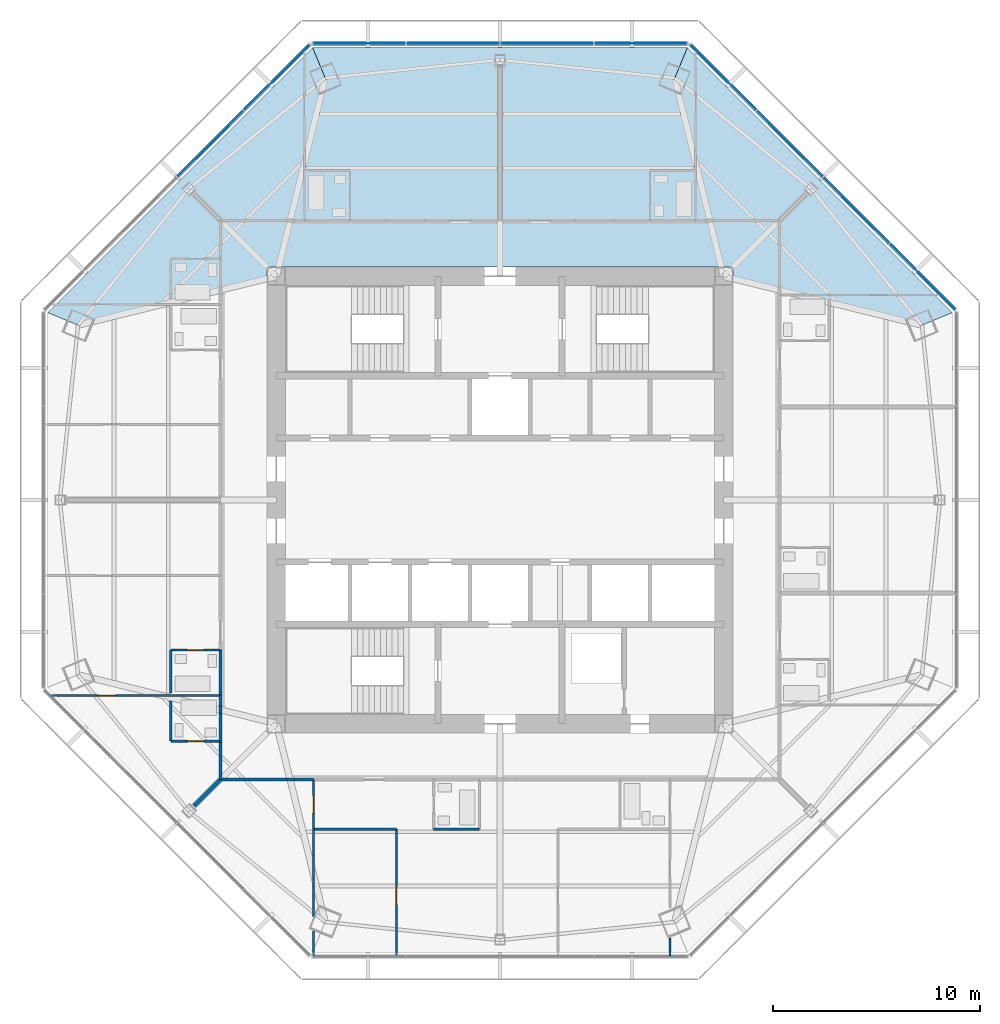
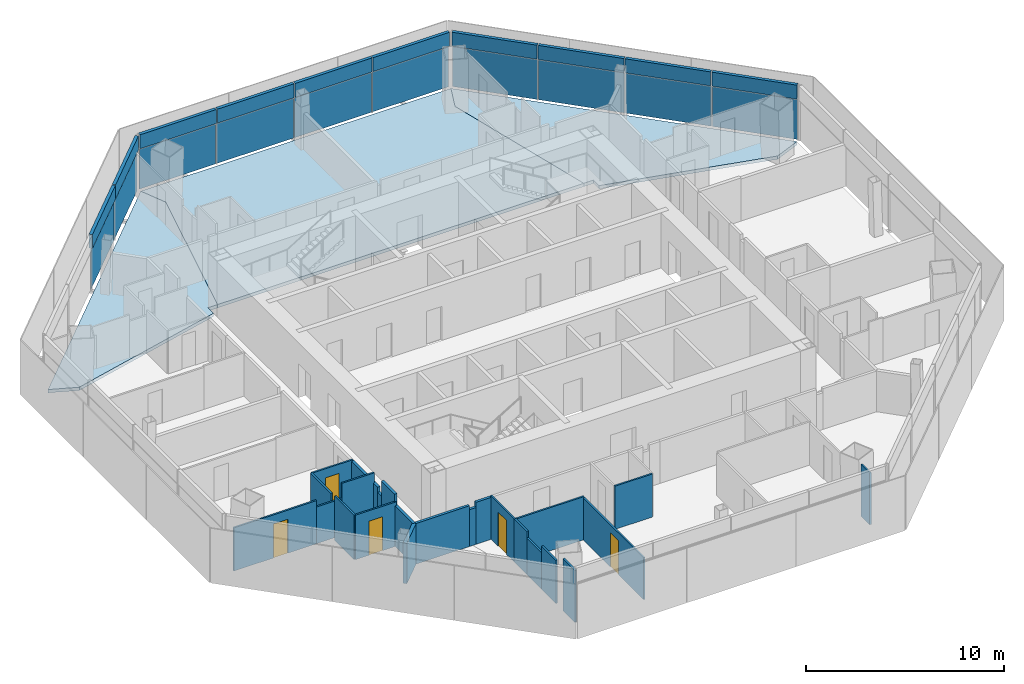
# One storey, part 8 of 15: 25 walls, 20 plates, 5 doors, 3 slabs, 5 openings, 3 elements without a shape of their own.
"""IFC4 building model written with IfcOpenShell, lengths in metres."""

from ifc_helpers import new_model, si_unit, direction, frame, frame_2d, origin, origin_2d, place, context, subcontext, project, spatial, polyline, rectangle, outline, extrude, source, transform, mapped, material, layer, layer_set, type_object, type_shapes, element, fill, aggregate, save


model = new_model("IFC4")

# Units and contexts
model_context = context("Model", 3, precision=1e-05, world=origin(), true_north=direction((0.0, 1.0)))
body_context = subcontext(model_context, "Body", "Model", "MODEL_VIEW")
ifc_project = project(units=[si_unit("LENGTHUNIT", "METRE"), si_unit("AREAUNIT", "SQUARE_METRE"), si_unit("VOLUMEUNIT", "CUBIC_METRE"), si_unit("PLANEANGLEUNIT", "RADIAN"), si_unit("MASSUNIT", "GRAM", prefix="KILO")], contexts=[model_context])

# Site, building, storey
site_placement = place(None, origin())
site = spatial("IfcSite", under=ifc_project, at=site_placement, CompositionType="ELEMENT")
building_placement = place(site_placement, origin())
building = spatial("IfcBuilding", under=site, at=building_placement, Name="Mashrafa Tower", CompositionType="ELEMENT")
storey_placement = place(building_placement, frame((0.0, 0.0, 210.800048828125)))
storey = spatial("IfcBuildingStorey", under=building, at=storey_placement, Name="L48", CompositionType="ELEMENT", Elevation=210.800048828125)

# Slabs
ifc_material_1 = material(Name="Concrete C35/45", Category="concrete")
ifc_layer_1 = layer(ifc_material_1, 0.199951171875)
ifc_layer_set_1 = layer_set([ifc_layer_1], Name="Floor slab 200")
slab_type = type_object("IfcSlabType", Name="Floor slab 200", PredefinedType="FLOOR", material=ifc_layer_set_1)
slab_1_placement = place(storey_placement, frame((0.0, 0.0, -0.199951171875)))
element("IfcSlab", 1, at=slab_1_placement, inside=storey, type_object=slab_type, Name="Floor slab L48 north-east bay", PredefinedType="FLOOR", context=body_context, shape_type="SweptSolid", body=[
    extrude(outline(polyline([(9.05126953125, 21.8515625), (21.8515625, 9.05126953125), (21.8515625, 9.05126953125), (20.37890625, 8.441162109375), (11.25, 10.689208984375), (11.25, 11.25), (10.689208984375, 11.25), (8.441162109375, 20.37890625), (9.05126953125, 21.8515625), (9.05126953125, 21.8515625)])), origin(), (0.0, 0.0, 1.0), 0.199951171875),
])
slab_2_placement = place(storey_placement, frame((0.0, 0.0, -0.199951171875)))
element("IfcSlab", 2, at=slab_2_placement, inside=storey, type_object=slab_type, Name="Floor slab L48 north bay", PredefinedType="FLOOR", context=body_context, shape_type="SweptSolid", body=[
    extrude(outline(polyline([(9.05126953125, 21.8515625), (8.441162109375, 20.37890625), (10.689208984375, 11.25), (-10.689208984375, 11.25), (-8.441162109375, 20.37890625), (-9.05126953125, 21.8515625), (9.05126953125, 21.8515625)])), origin(), (0.0, 0.0, 1.0), 0.199951171875),
])
slab_3_placement = place(storey_placement, frame((0.0, 0.0, -0.199951171875)))
element("IfcSlab", 3, at=slab_3_placement, inside=storey, type_object=slab_type, Name="Floor slab L48 north-west bay", PredefinedType="FLOOR", context=body_context, shape_type="SweptSolid", body=[
    extrude(outline(polyline([(-21.8515625, 9.05126953125), (-9.05126953125, 21.8515625), (-9.05126953125, 21.8515625), (-8.441162109375, 20.37890625), (-10.689208984375, 11.25), (-11.25, 11.25), (-11.25, 10.689208984375), (-20.37890625, 8.441162109375), (-21.8515625, 9.05126953125), (-21.8515625, 9.05126953125)])), origin(), (0.0, 0.0, 1.0), 0.199951171875),
])

# Curtain wall, plates
ifc_material_2 = material(Name="Unitised aluminium curtain wall", Category="aluminium")
curtain_wall_type = type_object("IfcCurtainWallType", Name="Apartment curtain wall, zone 3 CW-C 180 deep", PredefinedType="NOTDEFINED", material=ifc_material_2)
curtain_wall_1_placement = place(storey_placement, origin())
curtain_wall_1 = element("IfcCurtainWall", 4, at=curtain_wall_1_placement, inside=storey, type_object=curtain_wall_type, Name="Apartment curtain wall, zone 3 L48 north-east", PredefinedType="NOTDEFINED")
ifc_material_3 = material(Name="Insulated double glazing, acoustic", Category="glass")
ifc_layer_2 = layer(ifc_material_3, 0.028076171875)
ifc_layer_set_2 = layer_set([ifc_layer_2], Name="Vision panel CW-C 28")
plate_type_1 = type_object("IfcPlateType", Name="Vision panel CW-C 28", PredefinedType="CURTAIN_PANEL", material=ifc_layer_set_2)
shared_shape_1 = source(origin(), body_context, "Body", "SweptSolid", [
    extrude(rectangle(XDim=4.453369140625, YDim=0.028076171875, at=origin_2d()), origin(), (0.0, 0.0, 1.0), 2.46240234375),
])
plate_1_placement = place(storey_placement, frame((20.401123046875, 10.784423828125, 0.0), z_axis=(0.0, 0.0, 1.0), x_axis=(-0.707106781187, 0.707106781187, 0.0)))
plate_1 = element("IfcPlate", 5, at=plate_1_placement, type_object=plate_type_1, Name="CW-C vision panel 1", PredefinedType="CURTAIN_PANEL", context=body_context, shape_type="MappedRepresentation", body=[
    mapped(shared_shape_1, transform((0.0, 0.0, 0.0))),
])
plate_2_placement = place(storey_placement, frame((10.784423828125, 20.401123046875, 0.0), z_axis=(0.0, 0.0, 1.0), x_axis=(-0.707106781187, 0.707106781187, 0.0)))
plate_2 = element("IfcPlate", 6, at=plate_2_placement, type_object=plate_type_1, Name="CW-C vision panel 4", PredefinedType="CURTAIN_PANEL", context=body_context, shape_type="MappedRepresentation", body=[
    mapped(shared_shape_1, transform((0.0, 0.0, 0.0))),
])

curtain_wall_2_placement = place(storey_placement, origin())
curtain_wall_2 = element("IfcCurtainWall", 7, at=curtain_wall_2_placement, inside=storey, type_object=curtain_wall_type, Name="Apartment curtain wall, zone 3 L48 north", PredefinedType="NOTDEFINED")
plate_3_placement = place(storey_placement, frame((6.800048828125, 22.051513671875, 0.0), z_axis=(0.0, 0.0, 1.0), x_axis=(-1.0, 0.0, 0.0)))
plate_3 = element("IfcPlate", 8, at=plate_3_placement, type_object=plate_type_1, Name="CW-C vision panel 1", PredefinedType="CURTAIN_PANEL", context=body_context, shape_type="MappedRepresentation", body=[
    mapped(shared_shape_1, transform((0.0, 0.0, 0.0))),
])
plate_4_placement = place(storey_placement, frame((-6.800048828125, 22.051513671875, 0.0), z_axis=(0.0, 0.0, 1.0), x_axis=(-1.0, 0.0, 0.0)))
plate_4 = element("IfcPlate", 9, at=plate_4_placement, type_object=plate_type_1, Name="CW-C vision panel 4", PredefinedType="CURTAIN_PANEL", context=body_context, shape_type="MappedRepresentation", body=[
    mapped(shared_shape_1, transform((0.0, 0.0, 0.0))),
])

# Curtain wall, plate
curtain_wall_3_placement = place(storey_placement, origin())
curtain_wall_3 = element("IfcCurtainWall", 10, at=curtain_wall_3_placement, inside=storey, type_object=curtain_wall_type, Name="Apartment curtain wall, zone 3 L48 north-west", PredefinedType="NOTDEFINED")
plate_5_placement = place(storey_placement, frame((-10.784423828125, 20.401123046875, 0.0), z_axis=(0.0, 0.0, 1.0), x_axis=(-0.707106781187, -0.707106781187, 0.0)))
plate_5 = element("IfcPlate", 11, at=plate_5_placement, type_object=plate_type_1, Name="CW-C vision panel 1", PredefinedType="CURTAIN_PANEL", context=body_context, shape_type="MappedRepresentation", body=[
    mapped(shared_shape_1, transform((0.0, 0.0, 0.0))),
])

# Plate
ifc_material_4 = material(Name="Insulated bronze aluminium spandrel panel", Category="aluminium")
ifc_layer_3 = layer(ifc_material_4, 0.179931640625)
ifc_layer_set_3 = layer_set([ifc_layer_3], Name="Spandrel panel CW-C 180")
plate_type_2 = type_object("IfcPlateType", Name="Spandrel panel CW-C 180", PredefinedType="CURTAIN_PANEL", material=ifc_layer_set_3)
shared_shape_2 = source(origin(), body_context, "Body", "SweptSolid", [
    extrude(rectangle(XDim=4.453369140625, YDim=0.179931640625, at=origin_2d()), origin(), (0.0, 0.0, 1.0), 0.862548828125),
])
plate_6_placement = place(storey_placement, frame((20.401123046875, 10.784423828125, 2.53759765625), z_axis=(0.0, 0.0, 1.0), x_axis=(-0.707106781187, 0.707106781187, 0.0)))
plate_6 = element("IfcPlate", 12, at=plate_6_placement, type_object=plate_type_2, Name="CW-C spandrel panel 1", PredefinedType="CURTAIN_PANEL", context=body_context, shape_type="MappedRepresentation", body=[
    mapped(shared_shape_2, transform((0.0, 0.0, 0.0))),
])

plate_7_placement = place(storey_placement, frame((10.784423828125, 20.401123046875, 2.53759765625), z_axis=(0.0, 0.0, 1.0), x_axis=(-0.707106781187, 0.707106781187, 0.0)))
plate_7 = element("IfcPlate", 13, at=plate_7_placement, type_object=plate_type_2, Name="CW-C spandrel panel 4", PredefinedType="CURTAIN_PANEL", context=body_context, shape_type="MappedRepresentation", body=[
    mapped(shared_shape_2, transform((0.0, 0.0, 0.0))),
])

plate_8_placement = place(storey_placement, frame((6.800048828125, 22.051513671875, 2.53759765625), z_axis=(0.0, 0.0, 1.0), x_axis=(-1.0, 0.0, 0.0)))
plate_8 = element("IfcPlate", 14, at=plate_8_placement, type_object=plate_type_2, Name="CW-C spandrel panel 1", PredefinedType="CURTAIN_PANEL", context=body_context, shape_type="MappedRepresentation", body=[
    mapped(shared_shape_2, transform((0.0, 0.0, 0.0))),
])

plate_9_placement = place(storey_placement, frame((-6.800048828125, 22.051513671875, 2.53759765625), z_axis=(0.0, 0.0, 1.0), x_axis=(-1.0, 0.0, 0.0)))
plate_9 = element("IfcPlate", 15, at=plate_9_placement, type_object=plate_type_2, Name="CW-C spandrel panel 4", PredefinedType="CURTAIN_PANEL", context=body_context, shape_type="MappedRepresentation", body=[
    mapped(shared_shape_2, transform((0.0, 0.0, 0.0))),
])

plate_10_placement = place(storey_placement, frame((-10.784423828125, 20.401123046875, 2.53759765625), z_axis=(0.0, 0.0, 1.0), x_axis=(-0.707106781187, -0.707106781187, 0.0)))
plate_10 = element("IfcPlate", 16, at=plate_10_placement, type_object=plate_type_2, Name="CW-C spandrel panel 1", PredefinedType="CURTAIN_PANEL", context=body_context, shape_type="MappedRepresentation", body=[
    mapped(shared_shape_2, transform((0.0, 0.0, 0.0))),
])

shared_shape_3 = source(origin(), body_context, "Body", "SweptSolid", [
    extrude(rectangle(XDim=4.4833984375, YDim=0.028076171875, at=origin_2d()), origin(), (0.0, 0.0, 1.0), 2.46240234375),
])
type_shapes(plate_type_1, [shared_shape_1, shared_shape_3])
plate_11_placement = place(storey_placement, frame((17.198974609375, 13.986328125, 0.0), z_axis=(0.0, 0.0, 1.0), x_axis=(-0.707106781187, 0.707106781187, 0.0)))
plate_11 = element("IfcPlate", 17, at=plate_11_placement, type_object=plate_type_1, Name="CW-C vision panel 2", PredefinedType="CURTAIN_PANEL", context=body_context, shape_type="MappedRepresentation", body=[
    mapped(shared_shape_3, transform((0.0, 0.0, 0.0))),
])

plate_12_placement = place(storey_placement, frame((13.986328125, 17.198974609375, 0.0), z_axis=(0.0, 0.0, 1.0), x_axis=(-0.707106781187, 0.707106781187, 0.0)))
plate_12 = element("IfcPlate", 18, at=plate_12_placement, type_object=plate_type_1, Name="CW-C vision panel 3", PredefinedType="CURTAIN_PANEL", context=body_context, shape_type="MappedRepresentation", body=[
    mapped(shared_shape_3, transform((0.0, 0.0, 0.0))),
])

plate_13_placement = place(storey_placement, frame((2.271728515625, 22.051513671875, 0.0), z_axis=(0.0, 0.0, 1.0), x_axis=(-1.0, 0.0, 0.0)))
plate_13 = element("IfcPlate", 19, at=plate_13_placement, type_object=plate_type_1, Name="CW-C vision panel 2", PredefinedType="CURTAIN_PANEL", context=body_context, shape_type="MappedRepresentation", body=[
    mapped(shared_shape_3, transform((0.0, 0.0, 0.0))),
])

plate_14_placement = place(storey_placement, frame((-2.271728515625, 22.051513671875, 0.0), z_axis=(0.0, 0.0, 1.0), x_axis=(-1.0, 0.0, 0.0)))
plate_14 = element("IfcPlate", 20, at=plate_14_placement, type_object=plate_type_1, Name="CW-C vision panel 3", PredefinedType="CURTAIN_PANEL", context=body_context, shape_type="MappedRepresentation", body=[
    mapped(shared_shape_3, transform((0.0, 0.0, 0.0))),
])

plate_15_placement = place(storey_placement, frame((-13.986328125, 17.198974609375, 0.0), z_axis=(0.0, 0.0, 1.0), x_axis=(-0.707106781187, -0.707106781187, 0.0)))
plate_15 = element("IfcPlate", 21, at=plate_15_placement, type_object=plate_type_1, Name="CW-C vision panel 2", PredefinedType="CURTAIN_PANEL", context=body_context, shape_type="MappedRepresentation", body=[
    mapped(shared_shape_3, transform((0.0, 0.0, 0.0))),
])

shared_shape_4 = source(origin(), body_context, "Body", "SweptSolid", [
    extrude(rectangle(XDim=4.4833984375, YDim=0.179931640625, at=origin_2d()), origin(), (0.0, 0.0, 1.0), 0.862548828125),
])
type_shapes(plate_type_2, [shared_shape_2, shared_shape_4])
plate_16_placement = place(storey_placement, frame((17.198974609375, 13.986328125, 2.53759765625), z_axis=(0.0, 0.0, 1.0), x_axis=(-0.707106781187, 0.707106781187, 0.0)))
plate_16 = element("IfcPlate", 22, at=plate_16_placement, type_object=plate_type_2, Name="CW-C spandrel panel 2", PredefinedType="CURTAIN_PANEL", context=body_context, shape_type="MappedRepresentation", body=[
    mapped(shared_shape_4, transform((0.0, 0.0, 0.0))),
])

plate_17_placement = place(storey_placement, frame((13.986328125, 17.198974609375, 2.53759765625), z_axis=(0.0, 0.0, 1.0), x_axis=(-0.707106781187, 0.707106781187, 0.0)))
plate_17 = element("IfcPlate", 23, at=plate_17_placement, type_object=plate_type_2, Name="CW-C spandrel panel 3", PredefinedType="CURTAIN_PANEL", context=body_context, shape_type="MappedRepresentation", body=[
    mapped(shared_shape_4, transform((0.0, 0.0, 0.0))),
])

aggregate(curtain_wall_1, [plate_1, plate_6, plate_11, plate_16, plate_12, plate_17, plate_2, plate_7])

plate_18_placement = place(storey_placement, frame((2.271728515625, 22.051513671875, 2.53759765625), z_axis=(0.0, 0.0, 1.0), x_axis=(-1.0, 0.0, 0.0)))
plate_18 = element("IfcPlate", 24, at=plate_18_placement, type_object=plate_type_2, Name="CW-C spandrel panel 2", PredefinedType="CURTAIN_PANEL", context=body_context, shape_type="MappedRepresentation", body=[
    mapped(shared_shape_4, transform((0.0, 0.0, 0.0))),
])

plate_19_placement = place(storey_placement, frame((-2.271728515625, 22.051513671875, 2.53759765625), z_axis=(0.0, 0.0, 1.0), x_axis=(-1.0, 0.0, 0.0)))
plate_19 = element("IfcPlate", 25, at=plate_19_placement, type_object=plate_type_2, Name="CW-C spandrel panel 3", PredefinedType="CURTAIN_PANEL", context=body_context, shape_type="MappedRepresentation", body=[
    mapped(shared_shape_4, transform((0.0, 0.0, 0.0))),
])

aggregate(curtain_wall_2, [plate_3, plate_8, plate_13, plate_18, plate_14, plate_19, plate_4, plate_9])

plate_20_placement = place(storey_placement, frame((-13.986328125, 17.198974609375, 2.53759765625), z_axis=(0.0, 0.0, 1.0), x_axis=(-0.707106781187, -0.707106781187, 0.0)))
plate_20 = element("IfcPlate", 26, at=plate_20_placement, type_object=plate_type_2, Name="CW-C spandrel panel 2", PredefinedType="CURTAIN_PANEL", context=body_context, shape_type="MappedRepresentation", body=[
    mapped(shared_shape_4, transform((0.0, 0.0, 0.0))),
])

aggregate(curtain_wall_3, [plate_5, plate_10, plate_15, plate_20])

# Walls
ifc_material_5 = material(Name="Gypsum board on steel studs", Category="steel")
ifc_layer_4 = layer(ifc_material_5, 0.199951171875)
ifc_layer_set_4 = layer_set([ifc_layer_4], Name="Acoustic partition 200 1 hr")
wall_type_1 = type_object("IfcWallType", Name="Acoustic partition 200 1 hr", PredefinedType="PARTITIONING", material=ifc_layer_set_4)
wall_1_placement = place(storey_placement, frame((-14.768798828125, -14.768798828125, 0.0), z_axis=(0.0, 0.0, 1.0), x_axis=(0.707106781187, 0.707106781187, 0.0)))
element("IfcWall", 27, at=wall_1_placement, inside=storey, type_object=wall_type_1, Name="Acoustic wall L48-111", PredefinedType="PARTITIONING", context=body_context, shape_type="SweptSolid", body=[
    extrude(rectangle(XDim=1.79443359375, YDim=0.199951171875, at=frame_2d((0.897216796875, 0.0))), origin(), (0.0, 0.0, 1.0), 2.51171875),
])
ifc_material_6 = material(Name="Gypsum board on steel studs", Category="steel")
ifc_layer_5 = layer(ifc_material_6, 0.14990234375)
ifc_layer_set_5 = layer_set([ifc_layer_5], Name="Corridor partition 150 1 hr")
wall_type_2 = type_object("IfcWallType", Name="Corridor partition 150 1 hr", PredefinedType="PARTITIONING", material=ifc_layer_set_5)
wall_2_placement = place(storey_placement, frame((-13.5, -9.448974609375, 0.0), z_axis=(0.0, 0.0, 1.0), x_axis=(0.0, -1.0, 0.0)))
element("IfcWall", 28, at=wall_2_placement, inside=storey, type_object=wall_type_2, Name="Corridor wall L48-039", PredefinedType="PARTITIONING", context=body_context, shape_type="SweptSolid", body=[
    extrude(rectangle(XDim=0.47998046875, YDim=0.14990234375, at=frame_2d((0.239990234375, 0.0))), origin(), (0.0, 0.0, 1.0), 2.590576171875),
])
wall_3_placement = place(storey_placement, frame((-13.5, -10.30517578125, 0.0), z_axis=(0.0, 0.0, 1.0), x_axis=(0.0, -1.0, 0.0)))
element("IfcWall", 29, at=wall_3_placement, inside=storey, type_object=wall_type_2, Name="Corridor wall L48-040", PredefinedType="PARTITIONING", context=body_context, shape_type="SweptSolid", body=[
    extrude(rectangle(XDim=1.345703125, YDim=0.14990234375, at=frame_2d((0.6728515625, 0.0))), origin(), (0.0, 0.0, 1.0), 3.199951171875),
])
wall_4_placement = place(storey_placement, frame((-13.5, -9.928955078125, 0.0), z_axis=(0.0, 0.0, 1.0), x_axis=(0.0, -1.0, 0.0)))
element("IfcWall", 30, at=wall_4_placement, inside=storey, type_object=wall_type_2, Name="Corridor wall L48-041", PredefinedType="PARTITIONING", context=body_context, shape_type="SweptSolid", body=[
    extrude(rectangle(XDim=0.376220703125, YDim=0.14990234375, at=frame_2d((0.18798828125, 0.0))), origin(), (0.0, 0.0, 1.0), 2.26806640625),
])
wall_5_placement = place(storey_placement, frame((-13.5, -11.64892578125, 0.0), z_axis=(0.0, 0.0, 1.0), x_axis=(0.0, -1.0, 0.0)))
element("IfcWall", 31, at=wall_5_placement, inside=storey, type_object=wall_type_2, Name="Corridor wall L48-042", PredefinedType="PARTITIONING", context=body_context, shape_type="SweptSolid", body=[
    extrude(rectangle(XDim=1.85107421875, YDim=0.14990234375, at=frame_2d((0.925537109375, 0.0))), origin(), (0.0, 0.0, 1.0), 2.51171875),
])
wall_6_placement = place(storey_placement, frame((-13.5, -7.2490234375, 0.0), z_axis=(0.0, 0.0, 1.0), x_axis=(0.0, -1.0, 0.0)))
element("IfcWall", 32, at=wall_6_placement, inside=storey, type_object=wall_type_2, Name="Corridor wall L48-043", PredefinedType="PARTITIONING", context=body_context, shape_type="SweptSolid", body=[
    extrude(rectangle(XDim=2.201904296875, YDim=0.14990234375, at=frame_2d((1.10107421875, 0.0))), origin(), (0.0, 0.0, 1.0), 2.590576171875),
])
wall_7_placement = place(storey_placement, frame((-13.5, -13.5, 0.0), z_axis=(0.0, 0.0, 1.0), x_axis=(1.0, 0.0, 0.0)))
element("IfcWall", 33, at=wall_7_placement, inside=storey, type_object=wall_type_2, Name="Corridor wall L48-047", PredefinedType="PARTITIONING", context=body_context, shape_type="SweptSolid", body=[
    extrude(rectangle(XDim=3.19482421875, YDim=0.14990234375, at=frame_2d((1.597412109375, 0.0))), origin(), (0.0, 0.0, 1.0), 2.51171875),
])
wall_8_placement = place(storey_placement, frame((-9.928955078125, -13.5, 0.0), z_axis=(0.0, 0.0, 1.0), x_axis=(1.0, 0.0, 0.0)))
element("IfcWall", 34, at=wall_8_placement, inside=storey, type_object=wall_type_2, Name="Corridor wall L48-048", PredefinedType="PARTITIONING", context=body_context, shape_type="SweptSolid", body=[
    extrude(rectangle(XDim=0.929931640625, YDim=0.14990234375, at=frame_2d((0.46484375, 0.0))), origin(), (0.0, 0.0, 1.0), 2.590576171875),
])
wall_9_placement = place(storey_placement, frame((-10.30517578125, -13.5, 0.0), z_axis=(0.0, 0.0, 1.0), x_axis=(1.0, 0.0, 0.0)))
element("IfcWall", 35, at=wall_9_placement, inside=storey, type_object=wall_type_2, Name="Corridor wall L48-049", PredefinedType="PARTITIONING", context=body_context, shape_type="SweptSolid", body=[
    extrude(rectangle(XDim=0.376220703125, YDim=0.14990234375, at=frame_2d((0.18798828125, 0.0))), origin(), (0.0, 0.0, 1.0), 2.26806640625),
])
ifc_material_7 = material(Name="Gypsum board on steel studs", Category="steel")
ifc_layer_6 = layer(ifc_material_7, 0.10009765625)
ifc_layer_set_6 = layer_set([ifc_layer_6], Name="Partition 100")
wall_type_3 = type_object("IfcWallType", Name="Partition 100", PredefinedType="PARTITIONING", material=ifc_layer_set_6)
wall_10_placement = place(storey_placement, frame((-15.89990234375, -9.697998046875, 0.0), z_axis=(0.0, 0.0, 1.0), x_axis=(0.0, -1.0, 0.0)))
element("IfcWall", 36, at=wall_10_placement, inside=storey, type_object=wall_type_3, Name="Partition wall L48-105", PredefinedType="PARTITIONING", context=body_context, shape_type="SweptSolid", body=[
    extrude(rectangle(XDim=1.951904296875, YDim=0.10009765625, at=frame_2d((0.97607421875, 0.0))), origin(), (0.0, 0.0, 1.0), 2.740234375),
])

# Wall, opening, door
wall_11_placement = place(storey_placement, frame((-15.89990234375, -11.64990234375, 0.0), z_axis=(0.0, 0.0, 1.0), x_axis=(1.0, 0.0, 0.0)))
wall_11 = element("IfcWall", 37, at=wall_11_placement, inside=storey, type_object=wall_type_3, Name="Partition wall L48-106", PredefinedType="PARTITIONING", context=body_context, shape_type="SweptSolid", body=[
    extrude(rectangle(XDim=2.39990234375, YDim=0.10009765625, at=frame_2d((1.199951171875, 0.0))), origin(), (0.0, 0.0, 1.0), 2.740234375),
])
opening_1_placement = place(wall_11_placement, frame((0.800048828125, 0.0, 0.0)))
opening_1 = element("IfcOpeningElement", 38, at=opening_1_placement, cuts=wall_11, Name="Opening 48.020", PredefinedType="OPENING", context=body_context, shape_type="SweptSolid", body=[
    extrude(rectangle(XDim=0.800048828125, YDim=2.10009765625, at=frame_2d((0.39990234375, 1.050048828125))), frame((0.0, 0.06005859375, 0.0), z_axis=(0.0, -1.0, 0.0), x_axis=(1.0, 0.0, 0.0)), (0.0, 0.0, 1.0), 0.1201171875),
])
ifc_material_8 = material(Name="Timber door", Category="wood")
door_type_1 = type_object("IfcDoorType", Name="Bathroom door 800 x 2100", OperationType="USERDEFINED", PredefinedType="DOOR", material=ifc_material_8)
door_1_placement = place(opening_1_placement, origin())
door_1 = element("IfcDoor", 39, at=door_1_placement, inside=storey, type_object=door_type_1, Name="Apartment 4807 En-suite Bathroom door", OperationType="SINGLE_SWING_LEFT", OverallHeight=2.10009765625, OverallWidth=0.800048828125, PredefinedType="DOOR", context=body_context, shape_type="SweptSolid", body=[
    extrude(rectangle(XDim=0.800048828125, YDim=2.10009765625, at=frame_2d((0.39990234375, 1.050048828125))), frame((0.0, 0.02490234375, 0.0), z_axis=(0.0, -1.0, 0.0), x_axis=(1.0, 0.0, 0.0)), (0.0, 0.0, 1.0), 0.050048828125),
])
fill(opening_1, door_1)

# Walls
wall_12_placement = place(storey_placement, frame((-13.5, -9.449951171875, 0.0), z_axis=(0.0, 0.0, 1.0), x_axis=(-1.0, 0.0, 0.0)))
element("IfcWall", 40, at=wall_12_placement, inside=storey, type_object=wall_type_3, Name="Partition wall L48-107", PredefinedType="PARTITIONING", context=body_context, shape_type="SweptSolid", body=[
    extrude(rectangle(XDim=1.893310546875, YDim=0.10009765625, at=frame_2d((0.94677734375, 0.0))), origin(), (0.0, 0.0, 1.0), 3.199951171875),
])
wall_13_placement = place(storey_placement, frame((-15.393310546875, -9.449951171875, 0.0), z_axis=(0.0, 0.0, 1.0), x_axis=(-1.0, 0.0, 0.0)))
element("IfcWall", 41, at=wall_13_placement, inside=storey, type_object=wall_type_3, Name="Partition wall L48-108", PredefinedType="PARTITIONING", context=body_context, shape_type="SweptSolid", body=[
    extrude(rectangle(XDim=1.48779296875, YDim=0.10009765625, at=frame_2d((0.743896484375, 0.0))), origin(), (0.0, 0.0, 1.0), 2.26806640625),
])

# Wall, opening, door
wall_14_placement = place(storey_placement, frame((-16.881103515625, -9.449951171875, 0.0), z_axis=(0.0, 0.0, 1.0), x_axis=(-1.0, 0.0, 0.0)))
wall_14 = element("IfcWall", 42, at=wall_14_placement, inside=storey, type_object=wall_type_3, Name="Partition wall L48-109", PredefinedType="PARTITIONING", context=body_context, shape_type="SweptSolid", body=[
    extrude(rectangle(XDim=4.83251953125, YDim=0.10009765625, at=frame_2d((2.416259765625, 0.0))), origin(), (0.0, 0.0, 1.0), 2.6640625),
])
opening_2_placement = place(wall_14_placement, frame((1.68408203125, 0.0, 0.0)))
opening_2 = element("IfcOpeningElement", 43, at=opening_2_placement, cuts=wall_14, Name="Opening 48.021", PredefinedType="OPENING", context=body_context, shape_type="SweptSolid", body=[
    extrude(rectangle(XDim=0.85009765625, YDim=2.10009765625, at=frame_2d((0.425048828125, 1.050048828125))), frame((0.0, 0.06005859375, 0.0), z_axis=(0.0, -1.0, 0.0), x_axis=(1.0, 0.0, 0.0)), (0.0, 0.0, 1.0), 0.1201171875),
])
ifc_material_9 = material(Name="Timber door", Category="wood")
door_type_2 = type_object("IfcDoorType", Name="Bedroom door 850 x 2100", OperationType="USERDEFINED", PredefinedType="DOOR", material=ifc_material_9)
door_2_placement = place(opening_2_placement, origin())
door_2 = element("IfcDoor", 44, at=door_2_placement, inside=storey, type_object=door_type_2, Name="Apartment 4807 Bedroom 1 door", OperationType="SINGLE_SWING_RIGHT", OverallHeight=2.10009765625, OverallWidth=0.85009765625, PredefinedType="DOOR", context=body_context, shape_type="SweptSolid", body=[
    extrude(rectangle(XDim=0.85009765625, YDim=2.10009765625, at=frame_2d((0.425048828125, 1.050048828125))), frame((0.0, 0.02490234375, 0.0), z_axis=(0.0, -1.0, 0.0), x_axis=(1.0, 0.0, 0.0)), (0.0, 0.0, 1.0), 0.050048828125),
])
fill(opening_2, door_2)

wall_15_placement = place(storey_placement, frame((-13.5, -7.25, 0.0), z_axis=(0.0, 0.0, 1.0), x_axis=(-1.0, 0.0, 0.0)))
wall_15 = element("IfcWall", 45, at=wall_15_placement, inside=storey, type_object=wall_type_3, Name="Partition wall L48-112", PredefinedType="PARTITIONING", context=body_context, shape_type="SweptSolid", body=[
    extrude(rectangle(XDim=2.39990234375, YDim=0.10009765625, at=frame_2d((1.199951171875, 0.0))), origin(), (0.0, 0.0, 1.0), 2.6640625),
])
opening_3_placement = place(wall_15_placement, frame((0.800048828125, 0.0, 0.0)))
opening_3 = element("IfcOpeningElement", 46, at=opening_3_placement, cuts=wall_15, Name="Opening 48.022", PredefinedType="OPENING", context=body_context, shape_type="SweptSolid", body=[
    extrude(rectangle(XDim=0.800048828125, YDim=2.10009765625, at=frame_2d((0.39990234375, 1.050048828125))), frame((0.0, 0.06005859375, 0.0), z_axis=(0.0, -1.0, 0.0), x_axis=(1.0, 0.0, 0.0)), (0.0, 0.0, 1.0), 0.1201171875),
])
door_3_placement = place(opening_3_placement, origin())
door_3 = element("IfcDoor", 47, at=door_3_placement, inside=storey, type_object=door_type_1, Name="Apartment 4807 Bathroom door", OperationType="SINGLE_SWING_RIGHT", OverallHeight=2.10009765625, OverallWidth=0.800048828125, PredefinedType="DOOR", context=body_context, shape_type="SweptSolid", body=[
    extrude(rectangle(XDim=0.800048828125, YDim=2.10009765625, at=frame_2d((0.39990234375, 1.050048828125))), frame((0.0, 0.02490234375, 0.0), z_axis=(0.0, -1.0, 0.0), x_axis=(1.0, 0.0, 0.0)), (0.0, 0.0, 1.0), 0.050048828125),
])
fill(opening_3, door_3)

# Walls
wall_16_placement = place(storey_placement, frame((-15.89990234375, -7.25, 0.0), z_axis=(0.0, 0.0, 1.0), x_axis=(0.0, -1.0, 0.0)))
element("IfcWall", 48, at=wall_16_placement, inside=storey, type_object=wall_type_3, Name="Partition wall L48-113", PredefinedType="PARTITIONING", context=body_context, shape_type="SweptSolid", body=[
    extrude(rectangle(XDim=2.072021484375, YDim=0.10009765625, at=frame_2d((1.0361328125, 0.0))), origin(), (0.0, 0.0, 1.0), 2.6640625),
])
wall_17_placement = place(storey_placement, frame((-9.0, -22.033447265625, 0.0), z_axis=(0.0, 0.0, 1.0), x_axis=(0.0, 1.0, 0.0)))
element("IfcWall", 49, at=wall_17_placement, inside=storey, type_object=wall_type_3, Name="Partition wall L48-116", PredefinedType="PARTITIONING", context=body_context, shape_type="SweptSolid", body=[
    extrude(rectangle(XDim=1.22216796875, YDim=0.10009765625, at=frame_2d((0.611083984375, 0.0))), origin(), (0.0, 0.0, 1.0), 3.199951171875),
])
wall_18_placement = place(storey_placement, frame((-9.0, -20.1103515625, 0.0), z_axis=(0.0, 0.0, 1.0), x_axis=(0.0, 1.0, 0.0)))
element("IfcWall", 50, at=wall_18_placement, inside=storey, type_object=wall_type_3, Name="Partition wall L48-117", PredefinedType="PARTITIONING", context=body_context, shape_type="SweptSolid", body=[
    extrude(rectangle(XDim=1.4501953125, YDim=0.10009765625, at=frame_2d((0.72509765625, 0.0))), origin(), (0.0, 0.0, 1.0), 2.6640625),
])
wall_19_placement = place(storey_placement, frame((-9.0, -17.17236328125, 0.0), z_axis=(0.0, 0.0, 1.0), x_axis=(0.0, 1.0, 0.0)))
element("IfcWall", 51, at=wall_19_placement, inside=storey, type_object=wall_type_3, Name="Partition wall L48-118", PredefinedType="PARTITIONING", context=body_context, shape_type="SweptSolid", body=[
    extrude(rectangle(XDim=1.2734375, YDim=0.10009765625, at=frame_2d((0.63671875, 0.0))), origin(), (0.0, 0.0, 1.0), 2.6640625),
])
wall_20_placement = place(storey_placement, frame((-9.0, -18.66015625, 0.0), z_axis=(0.0, 0.0, 1.0), x_axis=(0.0, 1.0, 0.0)))
element("IfcWall", 52, at=wall_20_placement, inside=storey, type_object=wall_type_3, Name="Partition wall L48-119", PredefinedType="PARTITIONING", context=body_context, shape_type="SweptSolid", body=[
    extrude(rectangle(XDim=1.48779296875, YDim=0.10009765625, at=frame_2d((0.743896484375, 0.0))), origin(), (0.0, 0.0, 1.0), 2.26806640625),
])

# Wall, opening, door
wall_21_placement = place(storey_placement, frame((-9.0, -15.90087890625, 0.0), z_axis=(0.0, 0.0, 1.0), x_axis=(0.0, 1.0, 0.0)))
wall_21 = element("IfcWall", 53, at=wall_21_placement, inside=storey, type_object=wall_type_3, Name="Partition wall L48-120", PredefinedType="PARTITIONING", context=body_context, shape_type="SweptSolid", body=[
    extrude(rectangle(XDim=2.40087890625, YDim=0.10009765625, at=frame_2d((1.200439453125, 0.0))), origin(), (0.0, 0.0, 1.0), 2.6640625),
])
opening_4_placement = place(wall_21_placement, frame((0.775390625, 0.0, 0.0)))
opening_4 = element("IfcOpeningElement", 54, at=opening_4_placement, cuts=wall_21, Name="Opening 48.025", PredefinedType="OPENING", context=body_context, shape_type="SweptSolid", body=[
    extrude(rectangle(XDim=0.85009765625, YDim=2.10009765625, at=frame_2d((0.425048828125, 1.050048828125))), frame((0.0, 0.06005859375, 0.0), z_axis=(0.0, -1.0, 0.0), x_axis=(1.0, 0.0, 0.0)), (0.0, 0.0, 1.0), 0.1201171875),
])
door_4_placement = place(opening_4_placement, origin())
door_4 = element("IfcDoor", 55, at=door_4_placement, inside=storey, type_object=door_type_2, Name="Apartment 4808 Bedroom 1 door", OperationType="SINGLE_SWING_RIGHT", OverallHeight=2.10009765625, OverallWidth=0.85009765625, PredefinedType="DOOR", context=body_context, shape_type="SweptSolid", body=[
    extrude(rectangle(XDim=0.85009765625, YDim=2.10009765625, at=frame_2d((0.425048828125, 1.050048828125))), frame((0.0, 0.02490234375, 0.0), z_axis=(0.0, -1.0, 0.0), x_axis=(1.0, 0.0, 0.0)), (0.0, 0.0, 1.0), 0.050048828125),
])
fill(opening_4, door_4)

wall_22_placement = place(storey_placement, frame((-5.0, -22.035400390625, 0.0), z_axis=(0.0, 0.0, 1.0), x_axis=(0.0, 1.0, 0.0)))
wall_22 = element("IfcWall", 56, at=wall_22_placement, inside=storey, type_object=wall_type_3, Name="Partition wall L48-121", PredefinedType="PARTITIONING", context=body_context, shape_type="SweptSolid", body=[
    extrude(rectangle(XDim=6.135498046875, YDim=0.10009765625, at=frame_2d((3.06787109375, 0.0))), origin(), (0.0, 0.0, 1.0), 2.590576171875),
])
opening_5_placement = place(wall_22_placement, frame((2.504638671875, 0.0, 0.0)))
opening_5 = element("IfcOpeningElement", 57, at=opening_5_placement, cuts=wall_22, Name="Opening 48.026", PredefinedType="OPENING", context=body_context, shape_type="SweptSolid", body=[
    extrude(rectangle(XDim=0.85009765625, YDim=2.10009765625, at=frame_2d((0.425048828125, 1.050048828125))), frame((0.0, 0.06005859375, 0.0), z_axis=(0.0, -1.0, 0.0), x_axis=(1.0, 0.0, 0.0)), (0.0, 0.0, 1.0), 0.1201171875),
])
door_5_placement = place(opening_5_placement, origin())
door_5 = element("IfcDoor", 58, at=door_5_placement, inside=storey, type_object=door_type_2, Name="Apartment 4808 Bedroom 2 door", OperationType="SINGLE_SWING_LEFT", OverallHeight=2.10009765625, OverallWidth=0.85009765625, PredefinedType="DOOR", context=body_context, shape_type="SweptSolid", body=[
    extrude(rectangle(XDim=0.85009765625, YDim=2.10009765625, at=frame_2d((0.425048828125, 1.050048828125))), frame((0.0, 0.02490234375, 0.0), z_axis=(0.0, -1.0, 0.0), x_axis=(1.0, 0.0, 0.0)), (0.0, 0.0, 1.0), 0.050048828125),
])
fill(opening_5, door_5)

# Walls
wall_23_placement = place(storey_placement, frame((-5.0, -15.89990234375, 0.0), z_axis=(0.0, 0.0, 1.0), x_axis=(-1.0, 0.0, 0.0)))
element("IfcWall", 59, at=wall_23_placement, inside=storey, type_object=wall_type_3, Name="Partition wall L48-122", PredefinedType="PARTITIONING", context=body_context, shape_type="SweptSolid", body=[
    extrude(rectangle(XDim=4.0, YDim=0.10009765625, at=frame_2d((2.0, 0.0))), origin(), (0.0, 0.0, 1.0), 2.6640625),
])
wall_24_placement = place(storey_placement, frame((-3.199951171875, -15.89990234375, 0.0), z_axis=(0.0, 0.0, 1.0), x_axis=(1.0, 0.0, 0.0)))
element("IfcWall", 60, at=wall_24_placement, inside=storey, type_object=wall_type_3, Name="Partition wall L48-125", PredefinedType="PARTITIONING", context=body_context, shape_type="SweptSolid", body=[
    extrude(rectangle(XDim=2.199951171875, YDim=0.10009765625, at=frame_2d((1.10009765625, 0.0))), origin(), (0.0, 0.0, 1.0), 2.6640625),
])
wall_25_placement = place(storey_placement, frame((8.199951171875, -21.142578125, 0.0), z_axis=(0.0, 0.0, 1.0), x_axis=(0.0, -1.0, 0.0)))
element("IfcWall", 61, at=wall_25_placement, inside=storey, type_object=wall_type_3, Name="Partition wall L48-130", PredefinedType="PARTITIONING", context=body_context, shape_type="SweptSolid", body=[
    extrude(rectangle(XDim=0.890869140625, YDim=0.10009765625, at=frame_2d((0.4453125, 0.0))), origin(), (0.0, 0.0, 1.0), 3.199951171875),
])

save(model, "model.ifc")
